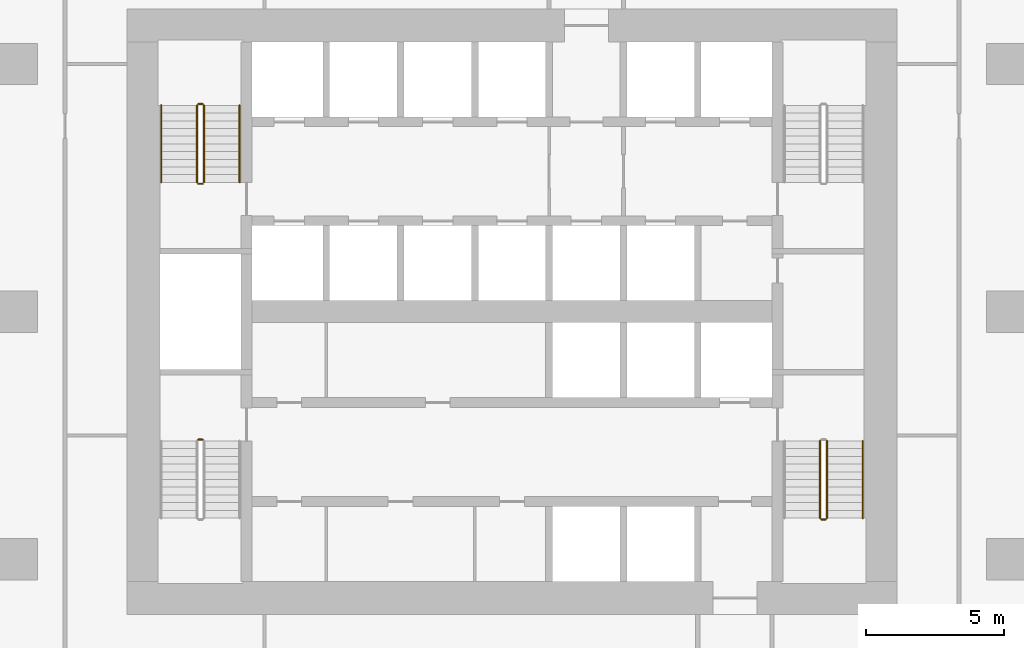
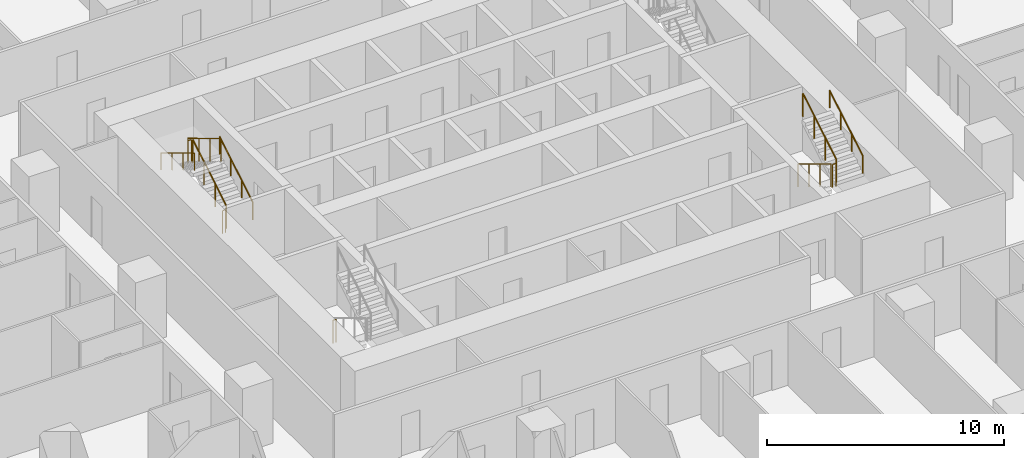
# One storey, part 24 of 27: 11 railings.
"""IFC4 building model written with IfcOpenShell, lengths in metres."""

from ifc_helpers import new_model, si_unit, direction, frame, origin, origin_2d, place, context, subcontext, project, spatial, circle, extrude, material, type_object, element, save


model = new_model("IFC4")

# Units and contexts
model_context = context("Model", 3, precision=1e-05, world=origin(), true_north=direction((0.0, 1.0)))
body_context = subcontext(model_context, "Body", "Model", "MODEL_VIEW")
ifc_project = project(units=[si_unit("LENGTHUNIT", "METRE"), si_unit("AREAUNIT", "SQUARE_METRE"), si_unit("VOLUMEUNIT", "CUBIC_METRE"), si_unit("PLANEANGLEUNIT", "RADIAN"), si_unit("MASSUNIT", "GRAM", prefix="KILO")], contexts=[model_context])

# Site, building, storey
site_placement = place(None, origin())
site = spatial("IfcSite", under=ifc_project, at=site_placement, CompositionType="ELEMENT")
building_placement = place(site_placement, origin())
building = spatial("IfcBuilding", under=site, at=building_placement, Name="Dongbaek Canopy Tower", CompositionType="ELEMENT")
storey_placement = place(building_placement, frame((0.0, 0.0, 58.800048828125)))
storey = spatial("IfcBuildingStorey", under=building, at=storey_placement, Name="L10", CompositionType="ELEMENT", Elevation=58.800048828125)

# Railings
ifc_material_1 = material(Name="Stainless steel tube and balusters", Category="steel")
railing_type_1 = type_object("IfcRailingType", Name="Stair guard 1200", PredefinedType="GUARDRAIL", material=ifc_material_1)
railing_1_placement = place(storey_placement, frame((-11.199951171875, 4.699951171875, 0.168212890625)))
element("IfcRailing", 1, at=railing_1_placement, inside=storey, type_object=railing_type_1, Name="L10 ST-C stair guard 1", PredefinedType="GUARDRAIL", context=body_context, shape_type="SweptSolid", body=[
    extrude(circle(Radius=0.02392578125, at=origin_2d()), frame((0.0, 0.0, 1.17578125), z_axis=(0.0, 0.857275202839, 0.514858452973), x_axis=(-1.0, 0.0, 0.0)), (0.0, 0.0, 1.0), 3.26611328125),
    extrude(circle(Radius=0.02099609375, at=origin_2d()), origin(), (0.0, 0.0, 1.0), 1.15185546875),
    extrude(circle(Radius=0.02099609375, at=origin_2d()), frame((0.0, 0.933349609375, 0.560546875)), (0.0, 0.0, 1.0), 1.15185546875),
    extrude(circle(Radius=0.02099609375, at=origin_2d()), frame((0.0, 1.86669921875, 1.12109375)), (0.0, 0.0, 1.0), 1.15185546875),
    extrude(circle(Radius=0.02099609375, at=origin_2d()), frame((0.0, 2.800048828125, 1.681640625)), (0.0, 0.0, 1.0), 1.15185546875),
])
railing_2_placement = place(storey_placement, frame((-11.25, 7.550048828125, 1.849853515625)))
element("IfcRailing", 2, at=railing_2_placement, inside=storey, type_object=railing_type_1, Name="L10 ST-C stair guard 2", PredefinedType="GUARDRAIL", context=body_context, shape_type="SweptSolid", body=[
    extrude(circle(Radius=0.02392578125, at=origin_2d()), frame((0.0, 0.0, 1.17578125), z_axis=(-1.0, 0.0, 0.0), x_axis=(0.0, -1.0, 0.0)), (0.0, 0.0, 1.0), 0.14990234375),
    extrude(circle(Radius=0.02099609375, at=origin_2d()), origin(), (0.0, 0.0, 1.0), 1.15185546875),
    extrude(circle(Radius=0.02099609375, at=origin_2d()), frame((-0.14990234375, 0.0, 0.0)), (0.0, 0.0, 1.0), 1.15185546875),
])
railing_3_placement = place(storey_placement, frame((-11.449951171875, 7.5, 2.01806640625)))
element("IfcRailing", 3, at=railing_3_placement, inside=storey, type_object=railing_type_1, Name="L10 ST-C stair guard 3", PredefinedType="GUARDRAIL", context=body_context, shape_type="SweptSolid", body=[
    extrude(circle(Radius=0.02392578125, at=origin_2d()), frame((0.0, 0.0, 1.17578125), z_axis=(0.0, -0.857242210791, 0.514913383045), x_axis=(1.0, 0.0, 0.0)), (0.0, 0.0, 1.0), 3.266357421875),
    extrude(circle(Radius=0.02099609375, at=origin_2d()), origin(), (0.0, 0.0, 1.0), 1.15185546875),
    extrude(circle(Radius=0.02099609375, at=origin_2d()), frame((0.0, -0.933349609375, 0.560546875)), (0.0, 0.0, 1.0), 1.15185546875),
    extrude(circle(Radius=0.02099609375, at=origin_2d()), frame((0.0, -1.86669921875, 1.121337890625)), (0.0, 0.0, 1.0), 1.15185546875),
    extrude(circle(Radius=0.02099609375, at=origin_2d()), frame((0.0, -2.800048828125, 1.681884765625)), (0.0, 0.0, 1.0), 1.15185546875),
])
railing_4_placement = place(storey_placement, frame((-11.25, 4.64990234375, 0.0)))
element("IfcRailing", 4, at=railing_4_placement, inside=storey, type_object=railing_type_1, Name="L10 ST-C stair guard 4", PredefinedType="GUARDRAIL", context=body_context, shape_type="SweptSolid", body=[
    extrude(circle(Radius=0.02392578125, at=origin_2d()), frame((0.0, 0.0, 1.17578125), z_axis=(-1.0, 0.0, 0.0), x_axis=(0.0, -1.0, 0.0)), (0.0, 0.0, 1.0), 0.14990234375),
    extrude(circle(Radius=0.02099609375, at=origin_2d()), origin(), (0.0, 0.0, 1.0), 1.15185546875),
    extrude(circle(Radius=0.02099609375, at=origin_2d()), frame((-0.14990234375, 0.0, 0.0)), (0.0, 0.0, 1.0), 1.15185546875),
])
railing_5_placement = place(storey_placement, frame((11.199951171875, -4.699951171875, 0.168212890625)))
element("IfcRailing", 5, at=railing_5_placement, inside=storey, type_object=railing_type_1, Name="L10 ST-B stair guard 1", PredefinedType="GUARDRAIL", context=body_context, shape_type="SweptSolid", body=[
    extrude(circle(Radius=0.02392578125, at=origin_2d()), frame((0.0, 0.0, 1.17578125), z_axis=(0.0, -0.857275202839, 0.514858452973), x_axis=(1.0, 0.0, 0.0)), (0.0, 0.0, 1.0), 3.26611328125),
    extrude(circle(Radius=0.02099609375, at=origin_2d()), origin(), (0.0, 0.0, 1.0), 1.15185546875),
    extrude(circle(Radius=0.02099609375, at=origin_2d()), frame((0.0, -0.933349609375, 0.560546875)), (0.0, 0.0, 1.0), 1.15185546875),
    extrude(circle(Radius=0.02099609375, at=origin_2d()), frame((0.0, -1.86669921875, 1.12109375)), (0.0, 0.0, 1.0), 1.15185546875),
    extrude(circle(Radius=0.02099609375, at=origin_2d()), frame((0.0, -2.800048828125, 1.681640625)), (0.0, 0.0, 1.0), 1.15185546875),
])
railing_6_placement = place(storey_placement, frame((11.25, -7.550048828125, 1.849853515625)))
element("IfcRailing", 6, at=railing_6_placement, inside=storey, type_object=railing_type_1, Name="L10 ST-B stair guard 2", PredefinedType="GUARDRAIL", context=body_context, shape_type="SweptSolid", body=[
    extrude(circle(Radius=0.02392578125, at=origin_2d()), frame((0.0, 0.0, 1.17578125), z_axis=(1.0, 0.0, 0.0), x_axis=(0.0, 1.0, 0.0)), (0.0, 0.0, 1.0), 0.14990234375),
    extrude(circle(Radius=0.02099609375, at=origin_2d()), origin(), (0.0, 0.0, 1.0), 1.15185546875),
    extrude(circle(Radius=0.02099609375, at=origin_2d()), frame((0.14990234375, 0.0, 0.0)), (0.0, 0.0, 1.0), 1.15185546875),
])
railing_7_placement = place(storey_placement, frame((11.449951171875, -7.5, 2.01806640625)))
element("IfcRailing", 7, at=railing_7_placement, inside=storey, type_object=railing_type_1, Name="L10 ST-B stair guard 3", PredefinedType="GUARDRAIL", context=body_context, shape_type="SweptSolid", body=[
    extrude(circle(Radius=0.02392578125, at=origin_2d()), frame((0.0, 0.0, 1.17578125), z_axis=(0.0, 0.857242210791, 0.514913383045), x_axis=(-1.0, 0.0, 0.0)), (0.0, 0.0, 1.0), 3.266357421875),
    extrude(circle(Radius=0.02099609375, at=origin_2d()), origin(), (0.0, 0.0, 1.0), 1.15185546875),
    extrude(circle(Radius=0.02099609375, at=origin_2d()), frame((0.0, 0.933349609375, 0.560546875)), (0.0, 0.0, 1.0), 1.15185546875),
    extrude(circle(Radius=0.02099609375, at=origin_2d()), frame((0.0, 1.86669921875, 1.121337890625)), (0.0, 0.0, 1.0), 1.15185546875),
    extrude(circle(Radius=0.02099609375, at=origin_2d()), frame((0.0, 2.800048828125, 1.681884765625)), (0.0, 0.0, 1.0), 1.15185546875),
])
railing_8_placement = place(storey_placement, frame((-11.39990234375, -4.64990234375, 0.0)))
element("IfcRailing", 8, at=railing_8_placement, inside=storey, type_object=railing_type_1, Name="L10 ST-D stair guard 4", PredefinedType="GUARDRAIL", context=body_context, shape_type="SweptSolid", body=[
    extrude(circle(Radius=0.02392578125, at=origin_2d()), frame((0.0, 0.0, 1.17578125), z_axis=(1.0, 0.0, 0.0), x_axis=(0.0, 1.0, 0.0)), (0.0, 0.0, 1.0), 0.14990234375),
    extrude(circle(Radius=0.02099609375, at=origin_2d()), origin(), (0.0, 0.0, 1.0), 1.15185546875),
    extrude(circle(Radius=0.02099609375, at=origin_2d()), frame((0.14990234375, 0.0, 0.0)), (0.0, 0.0, 1.0), 1.15185546875),
])
ifc_material_2 = material(Name="Stainless steel tube", Category="steel")
railing_type_2 = type_object("IfcRailingType", Name="Stair handrail 900", PredefinedType="HANDRAIL", material=ifc_material_2)
railing_9_placement = place(storey_placement, frame((-9.89990234375, 4.699951171875, 0.168212890625)))
element("IfcRailing", 9, at=railing_9_placement, inside=storey, type_object=railing_type_2, Name="L10 ST-C stair handrail 1", PredefinedType="HANDRAIL", context=body_context, shape_type="SweptSolid", body=[
    extrude(circle(Radius=0.02392578125, at=origin_2d()), frame((0.0, 0.0, 0.8759765625), z_axis=(0.0, 0.857275202839, 0.514858452973), x_axis=(-1.0, 0.0, 0.0)), (0.0, 0.0, 1.0), 3.26611328125),
    extrude(circle(Radius=0.02099609375, at=origin_2d()), origin(), (0.0, 0.0, 1.0), 0.851806640625),
    extrude(circle(Radius=0.02099609375, at=origin_2d()), frame((0.0, 0.933349609375, 0.560546875)), (0.0, 0.0, 1.0), 0.851806640625),
    extrude(circle(Radius=0.02099609375, at=origin_2d()), frame((0.0, 1.86669921875, 1.12109375)), (0.0, 0.0, 1.0), 0.851806640625),
    extrude(circle(Radius=0.02099609375, at=origin_2d()), frame((0.0, 2.800048828125, 1.681640625)), (0.0, 0.0, 1.0), 0.851806640625),
])
railing_10_placement = place(storey_placement, frame((-12.75, 7.5, 2.01806640625)))
element("IfcRailing", 10, at=railing_10_placement, inside=storey, type_object=railing_type_2, Name="L10 ST-C stair handrail 2", PredefinedType="HANDRAIL", context=body_context, shape_type="SweptSolid", body=[
    extrude(circle(Radius=0.02392578125, at=origin_2d()), frame((0.0, 0.0, 0.8759765625), z_axis=(0.0, -0.857242210791, 0.514913383045), x_axis=(1.0, 0.0, 0.0)), (0.0, 0.0, 1.0), 3.266357421875),
    extrude(circle(Radius=0.02099609375, at=origin_2d()), origin(), (0.0, 0.0, 1.0), 0.851806640625),
    extrude(circle(Radius=0.02099609375, at=origin_2d()), frame((0.0, -0.933349609375, 0.560546875)), (0.0, 0.0, 1.0), 0.851806640625),
    extrude(circle(Radius=0.02099609375, at=origin_2d()), frame((0.0, -1.86669921875, 1.121337890625)), (0.0, 0.0, 1.0), 0.851806640625),
    extrude(circle(Radius=0.02099609375, at=origin_2d()), frame((0.0, -2.800048828125, 1.681884765625)), (0.0, 0.0, 1.0), 0.851806640625),
])
railing_11_placement = place(storey_placement, frame((12.75, -7.5, 2.01806640625)))
element("IfcRailing", 11, at=railing_11_placement, inside=storey, type_object=railing_type_2, Name="L10 ST-B stair handrail 2", PredefinedType="HANDRAIL", context=body_context, shape_type="SweptSolid", body=[
    extrude(circle(Radius=0.02392578125, at=origin_2d()), frame((0.0, 0.0, 0.8759765625), z_axis=(0.0, 0.857242210791, 0.514913383045), x_axis=(-1.0, 0.0, 0.0)), (0.0, 0.0, 1.0), 3.266357421875),
    extrude(circle(Radius=0.02099609375, at=origin_2d()), origin(), (0.0, 0.0, 1.0), 0.851806640625),
    extrude(circle(Radius=0.02099609375, at=origin_2d()), frame((0.0, 0.933349609375, 0.560546875)), (0.0, 0.0, 1.0), 0.851806640625),
    extrude(circle(Radius=0.02099609375, at=origin_2d()), frame((0.0, 1.86669921875, 1.121337890625)), (0.0, 0.0, 1.0), 0.851806640625),
    extrude(circle(Radius=0.02099609375, at=origin_2d()), frame((0.0, 2.800048828125, 1.681884765625)), (0.0, 0.0, 1.0), 0.851806640625),
])

save(model, "model.ifc")
